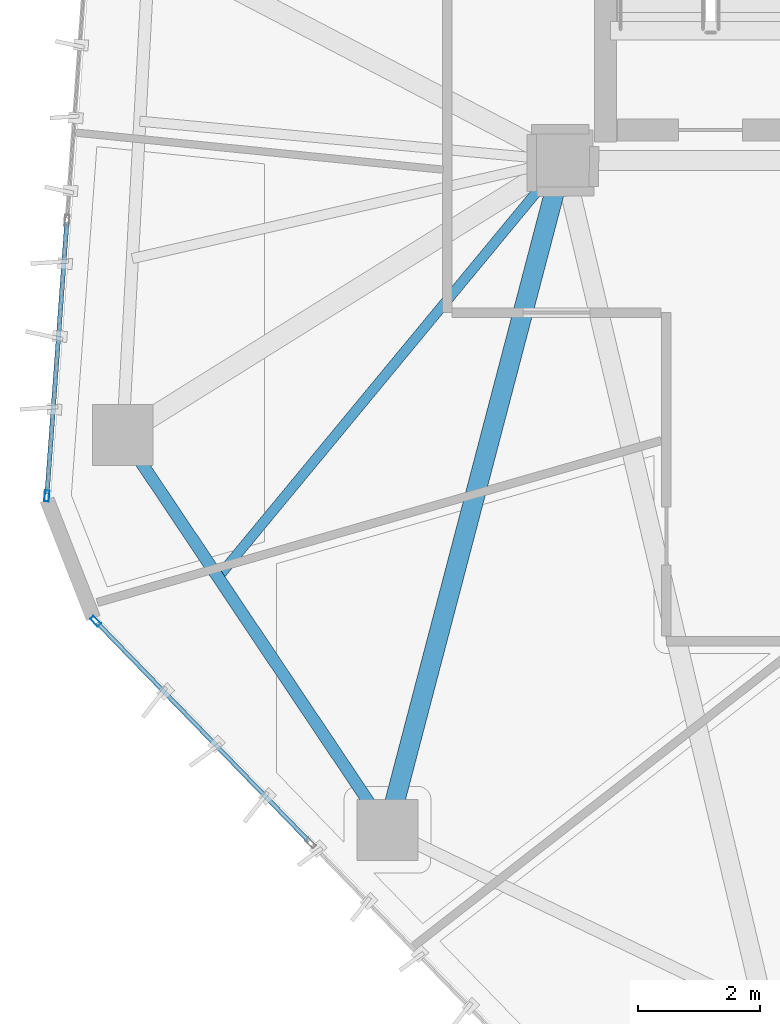
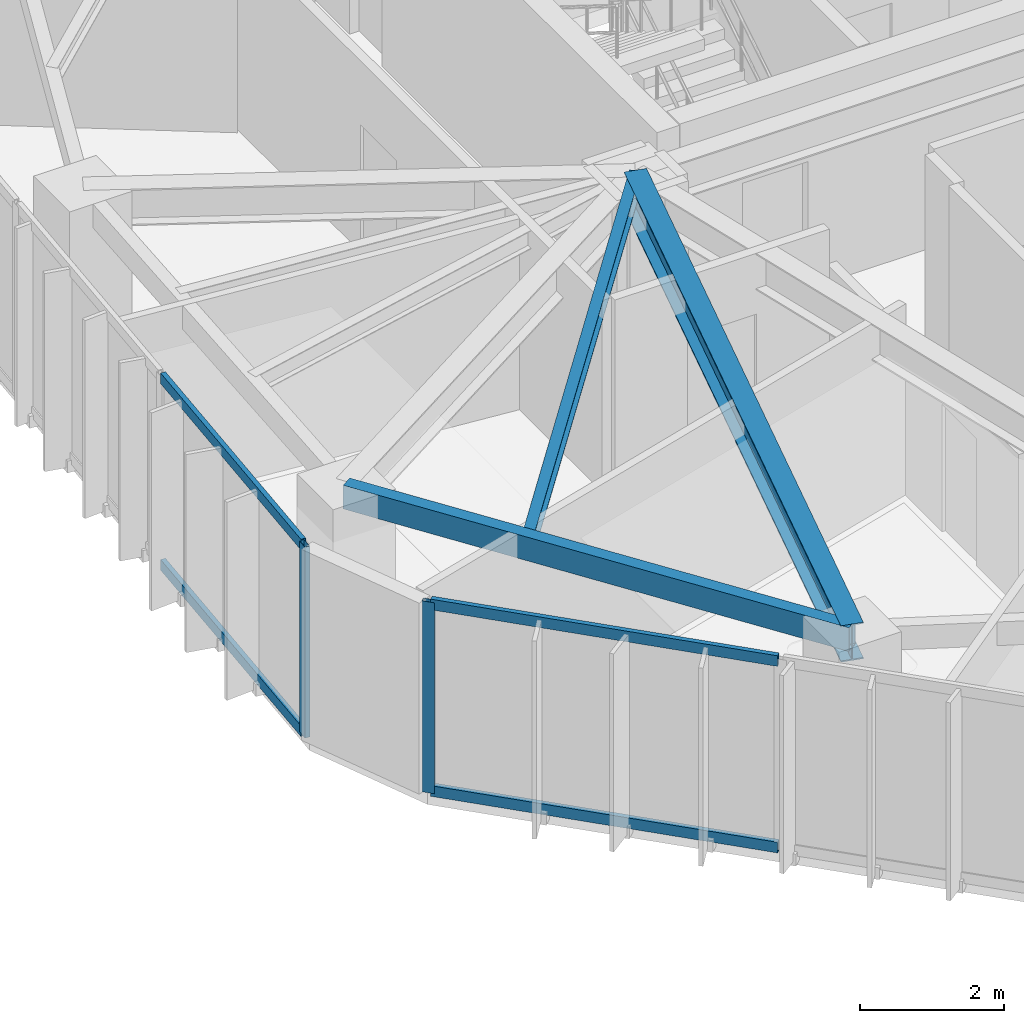
# One storey, part 3 of 19: 6 members, 3 beams, 2 elements without a shape of their own.
"""IFC4 building model written with IfcOpenShell, lengths in metres."""

from ifc_helpers import new_model, si_unit, direction, frame, origin, origin_2d, place, context, subcontext, project, spatial, hollow_rectangle, i_section, extrude, source, transform, mapped, material, layer, layer_set, material_profile, profile_set, type_object, type_shapes, element, aggregate, save


model = new_model("IFC4")

# Units and contexts
model_context = context("Model", 3, precision=1e-05, world=origin(), true_north=direction((0.0, 1.0)))
body_context = subcontext(model_context, "Body", "Model", "MODEL_VIEW")
ifc_project = project(units=[si_unit("LENGTHUNIT", "METRE"), si_unit("AREAUNIT", "SQUARE_METRE"), si_unit("VOLUMEUNIT", "CUBIC_METRE"), si_unit("PLANEANGLEUNIT", "RADIAN"), si_unit("MASSUNIT", "GRAM", prefix="KILO")], contexts=[model_context])

# Site, building, storey
site_placement = place(None, origin())
site = spatial("IfcSite", under=ifc_project, at=site_placement, CompositionType="ELEMENT")
building_placement = place(site_placement, origin())
building = spatial("IfcBuilding", under=site, at=building_placement, Name="Talar Marvaseh", CompositionType="ELEMENT")
storey_placement = place(building_placement, frame((0.0, 0.0, 222.199951171875)))
storey = spatial("IfcBuildingStorey", under=building, at=storey_placement, Name="L58", CompositionType="ELEMENT", Elevation=222.199951171875)

# Beams
ifc_material_1 = material(Name="Steel S355", Category="steel")
ifc_material_profile_1 = material_profile(ifc_material_1, hollow_rectangle(XDim=0.199951171875, YDim=0.39990234375, WallThickness=0.013916015625, at=origin_2d()), Name="RHS400x200x14")
ifc_profile_set_1 = profile_set([ifc_material_profile_1], Name="Steel S355")
beam_type_1 = type_object("IfcBeamType", Name="Zone 3 Perimeter Spandrel Beam RHS400x200x14", PredefinedType="SPANDREL", material=ifc_profile_set_1)
beam_1_placement = place(storey_placement, frame((15.819091796875, 14.5009765625, 3.030029296875), z_axis=(-0.556805579613, 0.830642851358, 0.0), x_axis=(-0.830642851358, -0.556805579613, 0.0)))
element("IfcBeam", 1, at=beam_1_placement, inside=storey, type_object=beam_type_1, Name="L58 Zone 3 Perimeter Spandrel Beam RHS400x200x14", PredefinedType="SPANDREL", context=body_context, shape_type="SweptSolid", body=[
    extrude(hollow_rectangle(XDim=0.199951171875, YDim=0.39990234375, WallThickness=0.013916015625, at=origin_2d()), origin(), (0.0, 0.0, 1.0), 7.807373046875),
])
ifc_material_profile_2 = material_profile(ifc_material_1, i_section(OverallWidth=0.324951171875, OverallDepth=0.615966796875, WebThickness=0.013916015625, FlangeThickness=0.021484375, at=origin_2d()), Name="W610x174")
ifc_profile_set_2 = profile_set([ifc_material_profile_2], Name="Steel S355")
beam_type_2 = type_object("IfcBeamType", Name="Zone 3 Radial Floor Girder W610x174", PredefinedType="BEAM", material=ifc_profile_set_2)
beam_2_placement = place(storey_placement, frame((15.819091796875, 14.5009765625, 2.922119140625), z_axis=(0.253372787776, 0.967368714821, 0.0), x_axis=(-0.967368714821, 0.253372787776, 0.0)))
element("IfcBeam", 2, at=beam_2_placement, inside=storey, type_object=beam_type_2, Name="L58 Zone 3 Radial Floor Girder W610x174", PredefinedType="BEAM", context=body_context, shape_type="SweptSolid", body=[
    extrude(i_section(OverallWidth=0.324951171875, OverallDepth=0.615966796875, WebThickness=0.013916015625, FlangeThickness=0.021484375, at=origin_2d()), origin(), (0.0, 0.0, 1.0), 11.3701171875),
])
ifc_material_profile_3 = material_profile(ifc_material_1, i_section(OverallWidth=0.166015625, OverallDepth=0.31298828125, WebThickness=0.006591796875, FlangeThickness=0.01123046875, at=origin_2d()), Name="W310x45")
ifc_profile_set_3 = profile_set([ifc_material_profile_3], Name="Steel S355")
beam_type_3 = type_object("IfcBeamType", Name="Zone 3 Secondary Floor Joist W310x45", PredefinedType="JOIST", material=ifc_profile_set_3)
beam_3_placement = place(storey_placement, frame((13.036865234375, 18.6513671875, 3.073486328125), z_axis=(0.637250554087, 0.770656688362, 0.0), x_axis=(-0.770656688362, 0.637250554087, 0.0)))
element("IfcBeam", 3, at=beam_3_placement, inside=storey, type_object=beam_type_3, Name="L58 Zone 3 Secondary Floor Joist W310x45", PredefinedType="JOIST", context=body_context, shape_type="SweptSolid", body=[
    extrude(i_section(OverallWidth=0.166015625, OverallDepth=0.31298828125, WebThickness=0.006591796875, FlangeThickness=0.01123046875, at=origin_2d()), origin(), (0.0, 0.0, 1.0), 8.88671875),
])

# Curtain wall, member
ifc_material_2 = material(Name="Architectural Aluminium", Category="aluminium")
ifc_layer = layer(ifc_material_2, 0.18994140625)
ifc_layer_set = layer_set([ifc_layer], Name="Architectural Aluminium")
curtain_wall_type = type_object("IfcCurtainWallType", Name="Unitised Solar Atelier Curtain Wall Z3", PredefinedType="NOTDEFINED", material=ifc_layer_set)
curtain_wall_1_placement = place(storey_placement, origin())
curtain_wall_1 = element("IfcCurtainWall", 4, at=curtain_wall_1_placement, inside=storey, type_object=curtain_wall_type, Name="L58 Unitised Solar Atelier Curtain Wall Z3", PredefinedType="NOTDEFINED")
ifc_material_profile_4 = material_profile(ifc_material_2, hollow_rectangle(XDim=0.074951171875, YDim=0.179931640625, WallThickness=0.0048828125, at=origin_2d()), Name="RHS180x75x5")
ifc_profile_set_4 = profile_set([ifc_material_profile_4], Name="Architectural Aluminium")
member_type_1 = type_object("IfcMemberType", Name="Unitised Curtain Wall Standard Mullion RHS180x75x5", PredefinedType="MULLION", material=ifc_profile_set_4)
shared_shape_1 = source(origin(), body_context, "Body", "SweptSolid", [
    extrude(hollow_rectangle(XDim=0.074951171875, YDim=0.179931640625, WallThickness=0.0048828125, at=origin_2d()), origin(), (0.0, 0.0, 1.0), 3.22998046875),
])
type_shapes(member_type_1, [shared_shape_1])
member_1_placement = place(storey_placement, frame((11.02587890625, 17.93212890625, 0.0), z_axis=(0.0, 0.0, 1.0), x_axis=(-0.718173328427, -0.695864261431, 0.0)))
member_1 = element("IfcMember", 5, at=member_1_placement, type_object=member_type_1, Name="CW-Z3 mullion 4", PredefinedType="MULLION", context=body_context, shape_type="MappedRepresentation", body=[
    mapped(shared_shape_1, transform((0.0, 0.0, 0.0), x_axis=(1.0, 0.0, 0.0), y_axis=(0.0, 1.0, 0.0), z_axis=(0.0, 0.0, 1.0), scale=1.0)),
])

# Curtain wall, members
curtain_wall_2_placement = place(storey_placement, origin())
curtain_wall_2 = element("IfcCurtainWall", 6, at=curtain_wall_2_placement, inside=storey, type_object=curtain_wall_type, Name="L58 Unitised Solar Atelier Curtain Wall Z3", PredefinedType="NOTDEFINED")
member_2_placement = place(storey_placement, frame((10.224853515625, 19.9873046875, 0.0), z_axis=(0.0, 0.0, 1.0), x_axis=(-0.99733736785, 0.072925816354, 0.0)))
member_2 = element("IfcMember", 7, at=member_2_placement, type_object=member_type_1, Name="CW-Z3 mullion 1", PredefinedType="MULLION", context=body_context, shape_type="MappedRepresentation", body=[
    mapped(shared_shape_1, transform((0.0, 0.0, 0.0), x_axis=(1.0, 0.0, 0.0), y_axis=(0.0, 1.0, 0.0), z_axis=(0.0, 0.0, 1.0), scale=1.0)),
])
ifc_material_profile_5 = material_profile(ifc_material_2, hollow_rectangle(XDim=0.074951171875, YDim=0.179931640625, WallThickness=0.0048828125, at=origin_2d()), Name="RHS180x75x5")
ifc_profile_set_5 = profile_set([ifc_material_profile_5], Name="Architectural Aluminium")
member_type_2 = type_object("IfcMemberType", Name="Unitised Curtain Wall Transom RHS180x75x5", PredefinedType="USERDEFINED", material=ifc_profile_set_5)
shared_shape_2 = source(origin(), body_context, "Body", "SweptSolid", [
    extrude(hollow_rectangle(XDim=0.074951171875, YDim=0.179931640625, WallThickness=0.0048828125, at=origin_2d()), origin(), (0.0, 0.0, 1.0), 4.46484375),
])
member_3_placement = place(storey_placement, frame((10.2275390625, 20.02490234375, 0.03759765625), z_axis=(0.072890735775, 0.997339932339, 0.0), x_axis=(-0.997339932339, 0.072890735775, 0.0)))
member_3 = element("IfcMember", 8, at=member_3_placement, type_object=member_type_2, Name="CW-Z3 transom 1.1", ObjectType="TRANSOM", PredefinedType="USERDEFINED", context=body_context, shape_type="MappedRepresentation", body=[
    mapped(shared_shape_2, transform((0.0, 0.0, 0.0), x_axis=(1.0, 0.0, 0.0), y_axis=(0.0, 1.0, 0.0), z_axis=(0.0, 0.0, 1.0), scale=1.0)),
])
member_4_placement = place(storey_placement, frame((10.2275390625, 20.02490234375, 3.192626953125), z_axis=(0.072890735775, 0.997339932339, 0.0), x_axis=(-0.997339932339, 0.072890735775, 0.0)))
member_4 = element("IfcMember", 9, at=member_4_placement, type_object=member_type_2, Name="CW-Z3 transom 1.2", ObjectType="TRANSOM", PredefinedType="USERDEFINED", context=body_context, shape_type="MappedRepresentation", body=[
    mapped(shared_shape_2, transform((0.0, 0.0, 0.0), x_axis=(1.0, 0.0, 0.0), y_axis=(0.0, 1.0, 0.0), z_axis=(0.0, 0.0, 1.0), scale=1.0)),
])
aggregate(curtain_wall_2, [member_2, member_3, member_4])

# Member
shared_shape_3 = source(origin(), body_context, "Body", "SweptSolid", [
    extrude(hollow_rectangle(XDim=0.074951171875, YDim=0.179931640625, WallThickness=0.0048828125, at=origin_2d()), origin(), (0.0, 0.0, 1.0), 5.00048828125),
])
type_shapes(member_type_2, [shared_shape_2, shared_shape_3])
member_5_placement = place(storey_placement, frame((14.53173828125, 14.31396484375, 0.03759765625), z_axis=(-0.69588729915, 0.718151005626, 0.0), x_axis=(-0.718151005626, -0.69588729915, 0.0)))
member_5 = element("IfcMember", 10, at=member_5_placement, type_object=member_type_2, Name="CW-Z3 transom 3.1", ObjectType="TRANSOM", PredefinedType="USERDEFINED", context=body_context, shape_type="MappedRepresentation", body=[
    mapped(shared_shape_3, transform((0.0, 0.0, 0.0), x_axis=(1.0, 0.0, 0.0), y_axis=(0.0, 1.0, 0.0), z_axis=(0.0, 0.0, 1.0), scale=1.0)),
])

member_6_placement = place(storey_placement, frame((14.53173828125, 14.31396484375, 3.192626953125), z_axis=(-0.69588729915, 0.718151005626, 0.0), x_axis=(-0.718151005626, -0.69588729915, 0.0)))
member_6 = element("IfcMember", 11, at=member_6_placement, type_object=member_type_2, Name="CW-Z3 transom 3.2", ObjectType="TRANSOM", PredefinedType="USERDEFINED", context=body_context, shape_type="MappedRepresentation", body=[
    mapped(shared_shape_3, transform((0.0, 0.0, 0.0), x_axis=(1.0, 0.0, 0.0), y_axis=(0.0, 1.0, 0.0), z_axis=(0.0, 0.0, 1.0), scale=1.0)),
])

aggregate(curtain_wall_1, [member_1, member_5, member_6])

save(model, "model.ifc")
